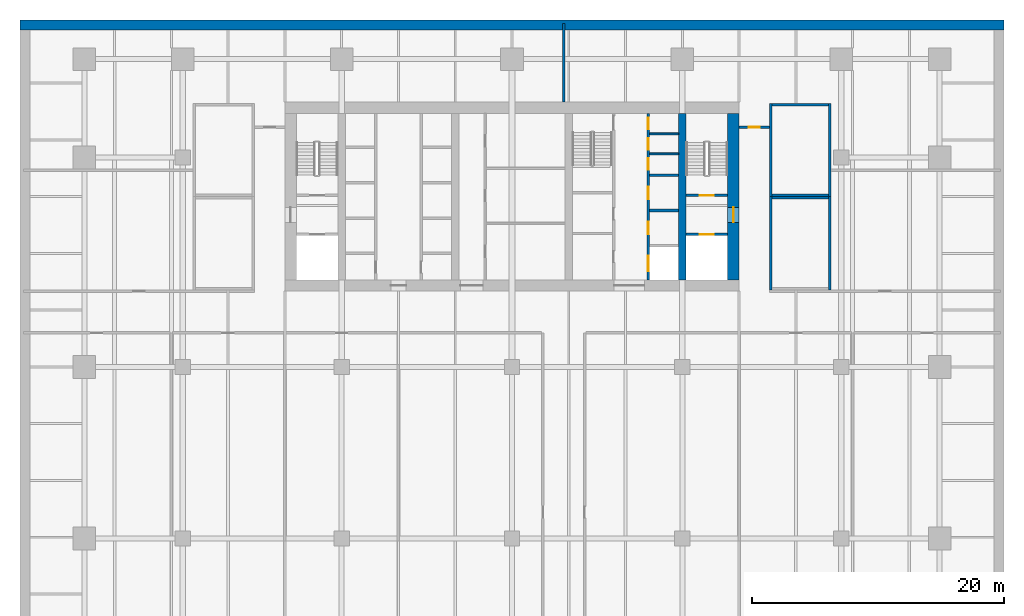
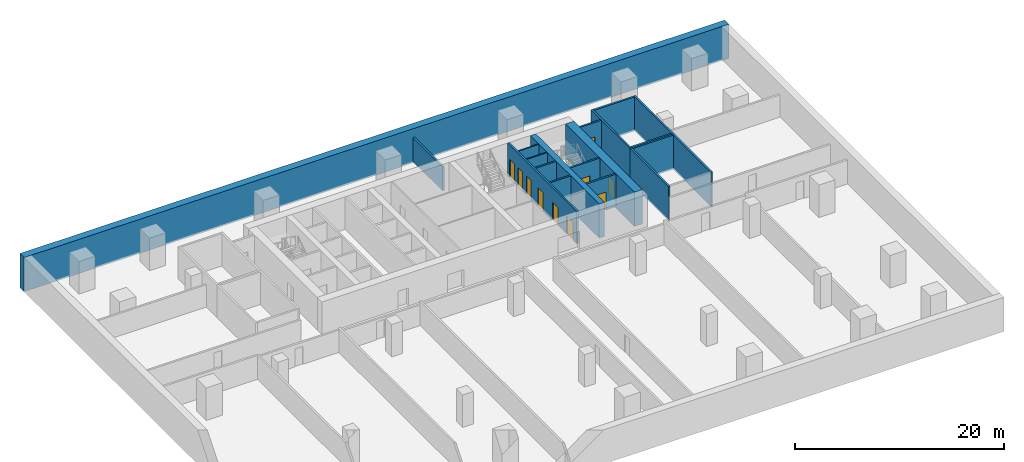
# One storey, part 8 of 10: 19 walls, 10 doors, 10 openings.
"""IFC4 building model written with IfcOpenShell, lengths in metres."""

from ifc_helpers import new_model, si_unit, direction, frame, frame_2d, origin, place, context, subcontext, project, spatial, rectangle, extrude, material, layer, layer_set, type_object, element, fill, save


model = new_model("IFC4")

# Units and contexts
model_context = context("Model", 3, precision=1e-05, world=origin(), true_north=direction((0.0, 1.0)))
body_context = subcontext(model_context, "Body", "Model", "MODEL_VIEW")
ifc_project = project(units=[si_unit("LENGTHUNIT", "METRE"), si_unit("AREAUNIT", "SQUARE_METRE"), si_unit("VOLUMEUNIT", "CUBIC_METRE"), si_unit("PLANEANGLEUNIT", "RADIAN"), si_unit("MASSUNIT", "GRAM", prefix="KILO")], contexts=[model_context])

# Site, building, storey
site_placement = place(None, origin())
site = spatial("IfcSite", under=ifc_project, at=site_placement, CompositionType="ELEMENT")
building_placement = place(site_placement, origin())
building = spatial("IfcBuilding", under=site, at=building_placement, Name="Rattan Terrace Tower", CompositionType="ELEMENT")
storey_placement = place(building_placement, frame((0.0, 0.0, -9.5)))
storey = spatial("IfcBuildingStorey", under=building, at=storey_placement, Name="B2", CompositionType="ELEMENT", Elevation=-9.5)

# Walls
ifc_material_1 = material(Name="Gypsum board partition")
ifc_layer_1 = layer(ifc_material_1, 0.14990234375)
ifc_layer_set_1 = layer_set([ifc_layer_1], Name="Core partition 150")
wall_type_1 = type_object("IfcWallType", Name="Core partition 150", PredefinedType="PARTITIONING", material=ifc_layer_set_1)
for number, where, z_axis, x_axis, name in (
    (1, (10.89990234375, 3.384033203125, 0.0), (0.0, 0.0, 1.0), (1.0, 0.0, 0.0), "Riser room wall"),
    (2, (10.89990234375, 4.968017578125, 0.0), (0.0, 0.0, 1.0), (1.0, 0.0, 0.0), "Riser room wall"),
):
    element("IfcWall", number, at=place(storey_placement, frame(where, z_axis=z_axis, x_axis=x_axis)), inside=storey, type_object=wall_type_1, Name=name, PredefinedType="PARTITIONING", context=body_context, shape_type="SweptSolid", body=[
        extrude(rectangle(XDim=2.300048828125, YDim=0.14990234375, at=frame_2d((1.14990234375, 0.0))), origin(), (0.0, 0.0, 1.0), 3.800048828125),
    ])

# Wall, opening, door
ifc_material_2 = material(Name="Gypsum board partition")
ifc_layer_2 = layer(ifc_material_2, 0.199951171875)
ifc_layer_set_2 = layer_set([ifc_layer_2], Name="Core partition 200")
wall_type_2 = type_object("IfcWallType", Name="Core partition 200", PredefinedType="PARTITIONING", material=ifc_layer_set_2)
wall_1_placement = place(storey_placement, frame((13.800048828125, -3.0, 0.0), z_axis=(0.0, 0.0, 1.0), x_axis=(1.0, 0.0, 0.0)))
wall_1 = element("IfcWall", 3, at=wall_1_placement, inside=storey, type_object=wall_type_2, Name="Fire-fighting lobby wall", PredefinedType="PARTITIONING", context=body_context, shape_type="SweptSolid", body=[
    extrude(rectangle(XDim=3.300048828125, YDim=0.199951171875, at=frame_2d((1.64990234375, 0.0))), origin(), (0.0, 0.0, 1.0), 3.800048828125),
])
opening_1_placement = place(wall_1_placement, frame((1.10009765625, 0.0, 0.0)))
opening_1 = element("IfcOpeningElement", 4, at=opening_1_placement, cuts=wall_1, Name="Opening B2-LD-FF2", PredefinedType="OPENING", context=body_context, shape_type="SweptSolid", body=[
    extrude(rectangle(XDim=1.10009765625, YDim=2.10009765625, at=frame_2d((0.550048828125, 1.050048828125))), frame((0.0, 0.110595703125, 0.0), z_axis=(0.0, -1.0, 0.0), x_axis=(1.0, 0.0, 0.0)), (0.0, 0.0, 1.0), 0.220947265625),
])
ifc_material_3 = material(Name="Brushed stainless landing door panel")
door_type_1 = type_object("IfcDoorType", Name="Core lift landing door 1100", OperationType="DOUBLE_DOOR_SLIDING", PredefinedType="DOOR", material=ifc_material_3)
door_1_placement = place(opening_1_placement, origin())
door_1 = element("IfcDoor", 5, at=door_1_placement, inside=storey, type_object=door_type_1, Name="Door B2-LD-FF2", OperationType="DOUBLE_DOOR_SLIDING", OverallHeight=2.10009765625, OverallWidth=1.10009765625, PredefinedType="DOOR", context=body_context, shape_type="SweptSolid", body=[
    extrude(rectangle(XDim=1.10009765625, YDim=2.10009765625, at=frame_2d((0.550048828125, 1.050048828125))), frame((0.0, 0.02490234375, 0.0), z_axis=(0.0, -1.0, 0.0), x_axis=(1.0, 0.0, 0.0)), (0.0, 0.0, 1.0), 0.050048828125),
])
fill(opening_1, door_1)

wall_2_placement = place(storey_placement, frame((13.800048828125, 0.10009765625, 0.0), z_axis=(0.0, 0.0, 1.0), x_axis=(1.0, 0.0, 0.0)))
wall_2 = element("IfcWall", 6, at=wall_2_placement, inside=storey, type_object=wall_type_2, Name="Stair enclosure wall", PredefinedType="PARTITIONING", context=body_context, shape_type="SweptSolid", body=[
    extrude(rectangle(XDim=3.300048828125, YDim=0.199951171875, at=frame_2d((1.64990234375, 0.0))), origin(), (0.0, 0.0, 1.0), 3.800048828125),
])
opening_2_placement = place(wall_2_placement, frame((1.10009765625, 0.0, 0.0)))
opening_2 = element("IfcOpeningElement", 7, at=opening_2_placement, cuts=wall_2, Name="Opening B2-D004", PredefinedType="OPENING", context=body_context, shape_type="SweptSolid", body=[
    extrude(rectangle(XDim=1.10009765625, YDim=2.10009765625, at=frame_2d((0.550048828125, 1.050048828125))), frame((0.0, 0.110595703125, 0.0), z_axis=(0.0, -1.0, 0.0), x_axis=(1.0, 0.0, 0.0)), (0.0, 0.0, 1.0), 0.220947265625),
])
ifc_material_4 = material(Name="Hollow-metal fire door leaf")
door_type_2 = type_object("IfcDoorType", Name="Core stair door 1100", OperationType="NOTDEFINED", PredefinedType="DOOR", material=ifc_material_4)
door_2_placement = place(opening_2_placement, origin())
door_2 = element("IfcDoor", 8, at=door_2_placement, inside=storey, type_object=door_type_2, Name="Door B2-D004", OperationType="SINGLE_SWING_RIGHT", OverallHeight=2.10009765625, OverallWidth=1.10009765625, PredefinedType="DOOR", context=body_context, shape_type="SweptSolid", body=[
    extrude(rectangle(XDim=1.10009765625, YDim=2.10009765625, at=frame_2d((0.550048828125, 1.050048828125))), frame((0.0, 0.02490234375, 0.0), z_axis=(0.0, -1.0, 0.0), x_axis=(1.0, 0.0, 0.0)), (0.0, 0.0, 1.0), 0.050048828125),
])
fill(opening_2, door_2)

ifc_material_5 = material(Name="Concrete C70/85", Category="concrete")
ifc_layer_3 = layer(ifc_material_5, 0.89990234375)
ifc_layer_set_3 = layer_set([ifc_layer_3], Name="Core ring wall 900 C70/85")
wall_type_3 = type_object("IfcWallType", Name="Core ring wall 900 C70/85", PredefinedType="SHEAR", material=ifc_layer_set_3)
wall_3_placement = place(storey_placement, frame((17.550048828125, -6.60009765625, -0.199951171875), z_axis=(0.0, 0.0, 1.0), x_axis=(0.0, 1.0, 0.0)))
wall_3 = element("IfcWall", 9, at=wall_3_placement, inside=storey, type_object=wall_type_3, Name="Rear core wall east", PredefinedType="SHEAR", context=body_context, shape_type="SweptSolid", body=[
    extrude(rectangle(XDim=13.2001953125, YDim=0.89990234375, at=frame_2d((6.60009765625, 0.0))), origin(), (0.0, 0.0, 1.0), 4.0),
])
opening_3_placement = place(wall_3_placement, frame((4.550048828125, 0.0, 0.199951171875)))
opening_3 = element("IfcOpeningElement", 10, at=opening_3_placement, cuts=wall_3, Name="Opening B2-D003", PredefinedType="OPENING", context=body_context, shape_type="SweptSolid", body=[
    extrude(rectangle(XDim=1.199951171875, YDim=2.10009765625, at=frame_2d((0.60009765625, 1.050048828125))), frame((0.0, 0.46044921875, 0.0), z_axis=(0.0, -1.0, 0.0), x_axis=(1.0, 0.0, 0.0)), (0.0, 0.0, 1.0), 0.9208984375),
])
ifc_material_6 = material(Name="Hollow-metal fire door leaf")
door_type_3 = type_object("IfcDoorType", Name="Core fire-fighting lobby door 1200", OperationType="NOTDEFINED", PredefinedType="DOOR", material=ifc_material_6)
door_3_placement = place(opening_3_placement, origin())
door_3 = element("IfcDoor", 11, at=door_3_placement, inside=storey, type_object=door_type_3, Name="Door B2-D003", OperationType="SINGLE_SWING_LEFT", OverallHeight=2.10009765625, OverallWidth=1.199951171875, PredefinedType="DOOR", context=body_context, shape_type="SweptSolid", body=[
    extrude(rectangle(XDim=1.199951171875, YDim=2.10009765625, at=frame_2d((0.60009765625, 1.050048828125))), frame((0.0, 0.02490234375, 0.0), z_axis=(0.0, -1.0, 0.0), x_axis=(1.0, 0.0, 0.0)), (0.0, 0.0, 1.0), 0.050048828125),
])
fill(opening_3, door_3)

# Wall
ifc_material_7 = material(Name="Concrete C70/85", Category="concrete")
ifc_layer_4 = layer(ifc_material_7, 0.60009765625)
ifc_layer_set_4 = layer_set([ifc_layer_4], Name="Core spine wall 600 C70/85")
wall_type_4 = type_object("IfcWallType", Name="Core spine wall 600 C70/85", PredefinedType="SHEAR", material=ifc_layer_set_4)
wall_4_placement = place(storey_placement, frame((13.5, -6.60009765625, -0.199951171875), z_axis=(0.0, 0.0, 1.0), x_axis=(0.0, 1.0, 0.0)))
element("IfcWall", 12, at=wall_4_placement, inside=storey, type_object=wall_type_4, Name="Core spine wall 4", PredefinedType="SHEAR", context=body_context, shape_type="SweptSolid", body=[
    extrude(rectangle(XDim=13.2001953125, YDim=0.60009765625, at=frame_2d((6.60009765625, 0.0))), origin(), (0.0, 0.0, 1.0), 4.0),
])

# Wall, opening, door
ifc_material_8 = material(Name="Concrete block wall, plastered", Category="concrete")
ifc_layer_5 = layer(ifc_material_8, 0.199951171875)
ifc_layer_set_5 = layer_set([ifc_layer_5], Name="Floors Plant Wall 200")
wall_type_5 = type_object("IfcWallType", Name="Floors Plant Wall 200", PredefinedType="PARTITIONING", material=ifc_layer_set_5)
wall_5_placement = place(storey_placement, frame((18.0, 5.5, 0.0), z_axis=(0.0, 0.0, 1.0), x_axis=(1.0, 0.0, 0.0)))
wall_5 = element("IfcWall", 13, at=wall_5_placement, inside=storey, type_object=wall_type_5, Name="pt-B2-013", PredefinedType="PARTITIONING", context=body_context, shape_type="SweptSolid", body=[
    extrude(rectangle(XDim=2.39990234375, YDim=0.199951171875, at=frame_2d((1.199951171875, 0.0))), origin(), (0.0, 0.0, 1.0), 3.800048828125),
])
opening_4_placement = place(wall_5_placement, frame((0.75, 0.0, 0.0)))
opening_4 = element("IfcOpeningElement", 14, at=opening_4_placement, cuts=wall_5, Name="Opening B2-D110", PredefinedType="OPENING", context=body_context, shape_type="SweptSolid", body=[
    extrude(rectangle(XDim=0.89990234375, YDim=2.10009765625, at=frame_2d((0.449951171875, 1.050048828125))), frame((0.0, 0.110595703125, 0.0), z_axis=(0.0, -1.0, 0.0), x_axis=(1.0, 0.0, 0.0)), (0.0, 0.0, 1.0), 0.220947265625),
])
ifc_material_9 = material(Name="Steel fire door set", Category="steel")
door_type_4 = type_object("IfcDoorType", Name="Floors Fire Door FD60 900x2100", OperationType="NOTDEFINED", PredefinedType="DOOR", material=ifc_material_9)
door_4_placement = place(opening_4_placement, origin())
door_4 = element("IfcDoor", 15, at=door_4_placement, inside=storey, type_object=door_type_4, Name="d-B2-110", OperationType="SINGLE_SWING_LEFT", OverallHeight=2.10009765625, OverallWidth=0.89990234375, PredefinedType="DOOR", context=body_context, shape_type="SweptSolid", body=[
    extrude(rectangle(XDim=0.89990234375, YDim=2.10009765625, at=frame_2d((0.449951171875, 1.050048828125))), frame((0.0, 0.02490234375, 0.0), z_axis=(0.0, -1.0, 0.0), x_axis=(1.0, 0.0, 0.0)), (0.0, 0.0, 1.0), 0.050048828125),
])
fill(opening_4, door_4)

# Walls
wall_6_placement = place(storey_placement, frame((4.10009765625, 13.739990234375, 0.0), z_axis=(0.0, 0.0, 1.0), x_axis=(0.0, -1.0, 0.0)))
element("IfcWall", 16, at=wall_6_placement, inside=storey, type_object=wall_type_5, Name="pt-B2-020", PredefinedType="PARTITIONING", context=body_context, shape_type="SweptSolid", body=[
    extrude(rectangle(XDim=6.239990234375, YDim=0.199951171875, at=frame_2d((3.1201171875, 0.0))), origin(), (0.0, 0.0, 1.0), 2.800048828125),
])
ifc_material_10 = material(Name="Concrete C40/50", Category="concrete")
ifc_layer_6 = layer(ifc_material_10, 0.800048828125)
ifc_layer_set_6 = layer_set([ifc_layer_6], Name="Frame basement wall 800")
wall_type_6 = type_object("IfcWallType", Name="Frame basement wall 800", PredefinedType="SOLIDWALL", material=ifc_layer_set_6)
wall_7_placement = place(storey_placement, frame((-39.0, 13.60009765625, -0.199951171875), z_axis=(0.0, 0.0, 1.0), x_axis=(1.0, 0.0, 0.0)))
element("IfcWall", 17, at=wall_7_placement, inside=storey, type_object=wall_type_6, Name="Basement wall", PredefinedType="SOLIDWALL", context=body_context, shape_type="SweptSolid", body=[
    extrude(rectangle(XDim=78.0, YDim=0.800048828125, at=frame_2d((39.0, 0.0))), origin(), (0.0, 0.0, 1.0), 4.0),
])

# Wall, openings, doors
ifc_material_11 = material(Name="Gypsum shaft wall system")
ifc_layer_7 = layer(ifc_material_11, 0.199951171875)
ifc_layer_set_7 = layer_set([ifc_layer_7], Name="Lift shaft wall 200")
wall_type_7 = type_object("IfcWallType", Name="Lift shaft wall 200", PredefinedType="PARTITIONING", material=ifc_layer_set_7)
wall_8_placement = place(storey_placement, frame((10.800048828125, -6.60009765625, 0.0), z_axis=(0.0, 0.0, 1.0), x_axis=(0.0, 1.0, 0.0)))
wall_8 = element("IfcWall", 18, at=wall_8_placement, inside=storey, type_object=wall_type_7, Name="Lift shaft front wall", PredefinedType="PARTITIONING", context=body_context, shape_type="SweptSolid", body=[
    extrude(rectangle(XDim=13.2001953125, YDim=0.199951171875, at=frame_2d((6.60009765625, 0.0))), origin(), (0.0, 0.0, 1.0), 3.800048828125),
])
opening_5_placement = place(wall_8_placement, frame((0.699951171875, 0.0, 0.0)))
opening_5 = element("IfcOpeningElement", 19, at=opening_5_placement, cuts=wall_8, Name="Opening B2-LD-SV1", PredefinedType="OPENING", context=body_context, shape_type="SweptSolid", body=[
    extrude(rectangle(XDim=1.199951171875, YDim=2.10009765625, at=frame_2d((0.60009765625, 1.050048828125))), frame((0.0, 0.110595703125, 0.0), z_axis=(0.0, -1.0, 0.0), x_axis=(1.0, 0.0, 0.0)), (0.0, 0.0, 1.0), 0.220947265625),
])
opening_6_placement = place(wall_8_placement, frame((3.60009765625, 0.0, 0.0)))
opening_6 = element("IfcOpeningElement", 20, at=opening_6_placement, cuts=wall_8, Name="Opening B2-D016", PredefinedType="OPENING", context=body_context, shape_type="SweptSolid", body=[
    extrude(rectangle(XDim=1.0, YDim=2.10009765625, at=frame_2d((0.5, 1.050048828125))), frame((0.0, 0.110595703125, 0.0), z_axis=(0.0, -1.0, 0.0), x_axis=(1.0, 0.0, 0.0)), (0.0, 0.0, 1.0), 0.220947265625),
])
opening_7_placement = place(wall_8_placement, frame((6.39990234375, 0.0, 0.0)))
opening_7 = element("IfcOpeningElement", 21, at=opening_7_placement, cuts=wall_8, Name="Opening B2-D017", PredefinedType="OPENING", context=body_context, shape_type="SweptSolid", body=[
    extrude(rectangle(XDim=1.0, YDim=2.10009765625, at=frame_2d((0.5, 1.050048828125))), frame((0.0, 0.110595703125, 0.0), z_axis=(0.0, -1.0, 0.0), x_axis=(1.0, 0.0, 0.0)), (0.0, 0.0, 1.0), 0.220947265625),
])
opening_8_placement = place(wall_8_placement, frame((8.741943359375, 0.0, 0.0)))
opening_8 = element("IfcOpeningElement", 22, at=opening_8_placement, cuts=wall_8, Name="Opening B2-D018", PredefinedType="OPENING", context=body_context, shape_type="SweptSolid", body=[
    extrude(rectangle(XDim=0.89990234375, YDim=2.10009765625, at=frame_2d((0.449951171875, 1.050048828125))), frame((0.0, 0.110595703125, 0.0), z_axis=(0.0, -1.0, 0.0), x_axis=(1.0, 0.0, 0.0)), (0.0, 0.0, 1.0), 0.220947265625),
])
opening_9_placement = place(wall_8_placement, frame((10.325927734375, 0.0, 0.0)))
opening_9 = element("IfcOpeningElement", 23, at=opening_9_placement, cuts=wall_8, Name="Opening B2-D019", PredefinedType="OPENING", context=body_context, shape_type="SweptSolid", body=[
    extrude(rectangle(XDim=0.89990234375, YDim=2.10009765625, at=frame_2d((0.449951171875, 1.050048828125))), frame((0.0, 0.110595703125, 0.0), z_axis=(0.0, -1.0, 0.0), x_axis=(1.0, 0.0, 0.0)), (0.0, 0.0, 1.0), 0.220947265625),
])
opening_10_placement = place(wall_8_placement, frame((11.93408203125, 0.0, 0.0)))
opening_10 = element("IfcOpeningElement", 24, at=opening_10_placement, cuts=wall_8, Name="Opening B2-D020", PredefinedType="OPENING", context=body_context, shape_type="SweptSolid", body=[
    extrude(rectangle(XDim=0.89990234375, YDim=2.10009765625, at=frame_2d((0.449951171875, 1.050048828125))), frame((0.0, 0.110595703125, 0.0), z_axis=(0.0, -1.0, 0.0), x_axis=(1.0, 0.0, 0.0)), (0.0, 0.0, 1.0), 0.220947265625),
])
ifc_material_12 = material(Name="Brushed stainless landing door panel")
door_type_5 = type_object("IfcDoorType", Name="Core lift landing door 1200", OperationType="DOUBLE_DOOR_SLIDING", PredefinedType="DOOR", material=ifc_material_12)
door_5_placement = place(opening_5_placement, origin())
door_5 = element("IfcDoor", 25, at=door_5_placement, inside=storey, type_object=door_type_5, Name="Door B2-LD-SV1", OperationType="DOUBLE_DOOR_SLIDING", OverallHeight=2.10009765625, OverallWidth=1.199951171875, PredefinedType="DOOR", context=body_context, shape_type="SweptSolid", body=[
    extrude(rectangle(XDim=1.199951171875, YDim=2.10009765625, at=frame_2d((0.60009765625, 1.050048828125))), frame((0.0, 0.02490234375, 0.0), z_axis=(0.0, -1.0, 0.0), x_axis=(1.0, 0.0, 0.0)), (0.0, 0.0, 1.0), 0.050048828125),
])
fill(opening_5, door_5)
ifc_material_13 = material(Name="Hollow-metal fire door leaf")
door_type_6 = type_object("IfcDoorType", Name="Core riser door 900", OperationType="NOTDEFINED", PredefinedType="DOOR", material=ifc_material_13)
door_6_placement = place(opening_8_placement, origin())
door_6 = element("IfcDoor", 26, at=door_6_placement, inside=storey, type_object=door_type_6, Name="Door B2-D018", OperationType="SINGLE_SWING_LEFT", OverallHeight=2.10009765625, OverallWidth=0.89990234375, PredefinedType="DOOR", context=body_context, shape_type="SweptSolid", body=[
    extrude(rectangle(XDim=0.89990234375, YDim=2.10009765625, at=frame_2d((0.449951171875, 1.050048828125))), frame((0.0, 0.02490234375, 0.0), z_axis=(0.0, -1.0, 0.0), x_axis=(1.0, 0.0, 0.0)), (0.0, 0.0, 1.0), 0.050048828125),
])
fill(opening_8, door_6)
door_7_placement = place(opening_9_placement, origin())
door_7 = element("IfcDoor", 27, at=door_7_placement, inside=storey, type_object=door_type_6, Name="Door B2-D019", OperationType="SINGLE_SWING_RIGHT", OverallHeight=2.10009765625, OverallWidth=0.89990234375, PredefinedType="DOOR", context=body_context, shape_type="SweptSolid", body=[
    extrude(rectangle(XDim=0.89990234375, YDim=2.10009765625, at=frame_2d((0.449951171875, 1.050048828125))), frame((0.0, 0.02490234375, 0.0), z_axis=(0.0, -1.0, 0.0), x_axis=(1.0, 0.0, 0.0)), (0.0, 0.0, 1.0), 0.050048828125),
])
fill(opening_9, door_7)
ifc_material_14 = material(Name="Hollow-metal fire door leaf")
door_type_7 = type_object("IfcDoorType", Name="Core service room door 1000", OperationType="NOTDEFINED", PredefinedType="DOOR", material=ifc_material_14)
door_8_placement = place(opening_6_placement, origin())
door_8 = element("IfcDoor", 28, at=door_8_placement, inside=storey, type_object=door_type_7, Name="Door B2-D016", OperationType="SINGLE_SWING_LEFT", OverallHeight=2.10009765625, OverallWidth=1.0, PredefinedType="DOOR", context=body_context, shape_type="SweptSolid", body=[
    extrude(rectangle(XDim=1.0, YDim=2.10009765625, at=frame_2d((0.5, 1.050048828125))), frame((0.0, 0.02490234375, 0.0), z_axis=(0.0, -1.0, 0.0), x_axis=(1.0, 0.0, 0.0)), (0.0, 0.0, 1.0), 0.050048828125),
])
fill(opening_6, door_8)
door_9_placement = place(opening_7_placement, origin())
door_9 = element("IfcDoor", 29, at=door_9_placement, inside=storey, type_object=door_type_7, Name="Door B2-D017", OperationType="SINGLE_SWING_RIGHT", OverallHeight=2.10009765625, OverallWidth=1.0, PredefinedType="DOOR", context=body_context, shape_type="SweptSolid", body=[
    extrude(rectangle(XDim=1.0, YDim=2.10009765625, at=frame_2d((0.5, 1.050048828125))), frame((0.0, 0.02490234375, 0.0), z_axis=(0.0, -1.0, 0.0), x_axis=(1.0, 0.0, 0.0)), (0.0, 0.0, 1.0), 0.050048828125),
])
fill(opening_7, door_9)
ifc_material_15 = material(Name="Hollow-metal fire door leaf")
door_type_8 = type_object("IfcDoorType", Name="Core service room door 900", OperationType="NOTDEFINED", PredefinedType="DOOR", material=ifc_material_15)
door_10_placement = place(opening_10_placement, origin())
door_10 = element("IfcDoor", 30, at=door_10_placement, inside=storey, type_object=door_type_8, Name="Door B2-D020", OperationType="SINGLE_SWING_LEFT", OverallHeight=2.10009765625, OverallWidth=0.89990234375, PredefinedType="DOOR", context=body_context, shape_type="SweptSolid", body=[
    extrude(rectangle(XDim=0.89990234375, YDim=2.10009765625, at=frame_2d((0.449951171875, 1.050048828125))), frame((0.0, 0.02490234375, 0.0), z_axis=(0.0, -1.0, 0.0), x_axis=(1.0, 0.0, 0.0)), (0.0, 0.0, 1.0), 0.050048828125),
])
fill(opening_10, door_10)

# Walls
for number, where, z_axis, x_axis, name in (
    (31, (10.89990234375, -1.10009765625, 0.0), (0.0, 0.0, 1.0), (1.0, 0.0, 0.0), "Lift shaft wall"),
    (32, (10.89990234375, 1.699951171875, 0.0), (0.0, 0.0, 1.0), (1.0, 0.0, 0.0), "Lift shaft wall"),
):
    element("IfcWall", number, at=place(storey_placement, frame(where, z_axis=z_axis, x_axis=x_axis)), inside=storey, type_object=wall_type_7, Name=name, PredefinedType="PARTITIONING", context=body_context, shape_type="SweptSolid", body=[
        extrude(rectangle(XDim=2.300048828125, YDim=0.199951171875, at=frame_2d((1.14990234375, 0.0))), origin(), (0.0, 0.0, 1.0), 3.800048828125),
    ])
ifc_material_16 = material(Name="Concrete C40/50", Category="concrete")
ifc_layer_8 = layer(ifc_material_16, 0.199951171875)
ifc_layer_set_8 = layer_set([ifc_layer_8], Name="Podium exit stair shaft wall 200")
wall_type_8 = type_object("IfcWallType", Name="Podium exit stair shaft wall 200", PredefinedType="SHEAR", material=ifc_layer_set_8)
for number, where, z_axis, x_axis, name in (
    (33, (20.5, -7.39990234375, -0.199951171875), (0.0, 0.0, 1.0), (0.0, 1.0, 0.0), "B2 stair S6 shaft wall"),
    (34, (25.199951171875, -7.39990234375, -0.199951171875), (0.0, 0.0, 1.0), (0.0, 1.0, 0.0), "B2 stair S6 shaft wall"),
):
    element("IfcWall", number, at=place(storey_placement, frame(where, z_axis=z_axis, x_axis=x_axis)), inside=storey, type_object=wall_type_8, Name=name, PredefinedType="SHEAR", context=body_context, shape_type="SweptSolid", body=[
        extrude(rectangle(XDim=7.39990234375, YDim=0.199951171875, at=frame_2d((3.699951171875, 0.0))), origin(), (0.0, 0.0, 1.0), 4.0),
    ])
wall_9_placement = place(storey_placement, frame((20.60009765625, -0.10009765625, -0.199951171875), z_axis=(0.0, 0.0, 1.0), x_axis=(1.0, 0.0, 0.0)))
element("IfcWall", 35, at=wall_9_placement, inside=storey, type_object=wall_type_8, Name="B2 stair S6 shaft wall", PredefinedType="SHEAR", context=body_context, shape_type="SweptSolid", body=[
    extrude(rectangle(XDim=4.5, YDim=0.199951171875, at=frame_2d((2.25, 0.0))), origin(), (0.0, 0.0, 1.0), 4.0),
])
for number, where, z_axis, x_axis, name in (
    (36, (20.5, 0.0, -0.199951171875), (0.0, 0.0, 1.0), (0.0, 1.0, 0.0), "B2 stair S7 shaft wall"),
    (37, (25.199951171875, 0.0, -0.199951171875), (0.0, 0.0, 1.0), (0.0, 1.0, 0.0), "B2 stair S7 shaft wall"),
):
    element("IfcWall", number, at=place(storey_placement, frame(where, z_axis=z_axis, x_axis=x_axis)), inside=storey, type_object=wall_type_8, Name=name, PredefinedType="SHEAR", context=body_context, shape_type="SweptSolid", body=[
        extrude(rectangle(XDim=7.39990234375, YDim=0.199951171875, at=frame_2d((3.699951171875, 0.0))), origin(), (0.0, 0.0, 1.0), 4.0),
    ])
for number, where, z_axis, x_axis, name in (
    (38, (20.60009765625, 7.300048828125, -0.199951171875), (0.0, 0.0, 1.0), (1.0, 0.0, 0.0), "B2 stair S7 shaft wall"),
    (39, (20.60009765625, 0.10009765625, -0.199951171875), (0.0, 0.0, 1.0), (1.0, 0.0, 0.0), "B2 stair S7 shaft wall"),
):
    element("IfcWall", number, at=place(storey_placement, frame(where, z_axis=z_axis, x_axis=x_axis)), inside=storey, type_object=wall_type_8, Name=name, PredefinedType="SHEAR", context=body_context, shape_type="SweptSolid", body=[
        extrude(rectangle(XDim=4.5, YDim=0.199951171875, at=frame_2d((2.25, 0.0))), origin(), (0.0, 0.0, 1.0), 4.0),
    ])

save(model, "model.ifc")
